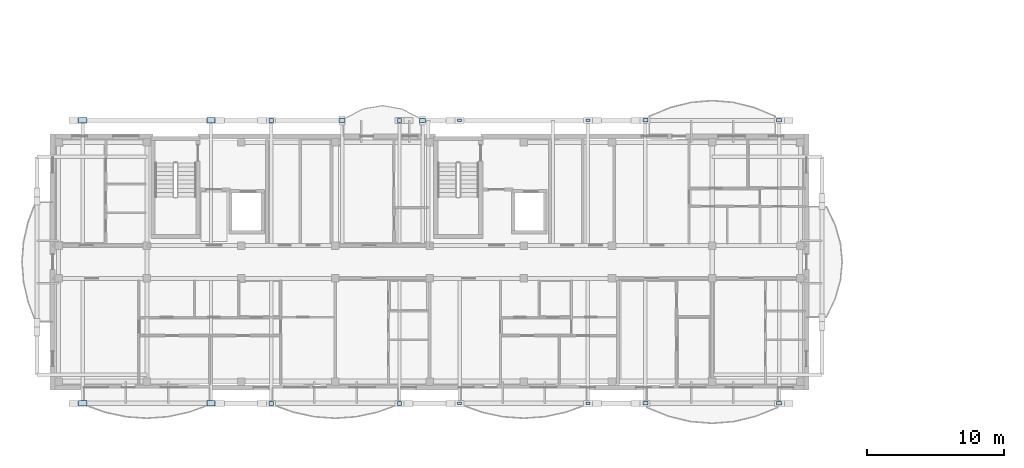
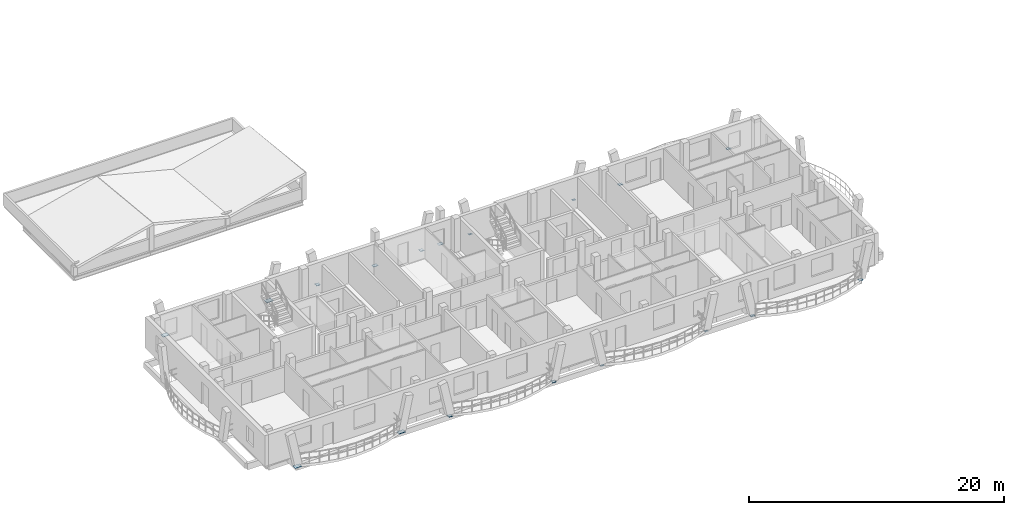
# One storey, part 11 of 50: 18 plates.
"""IFC4 building model written with IfcOpenShell, lengths in metres."""

from ifc_helpers import new_model, si_unit, direction, frame, origin, origin_2d, place, context, subcontext, project, spatial, rectangle, extrude, material, layer, layer_set, type_object, element, save


model = new_model("IFC4")

# Units and contexts
model_context = context("Model", 3, precision=1e-05, world=origin(), true_north=direction((0.0, 1.0)))
body_context = subcontext(model_context, "Body", "Model", "MODEL_VIEW")
ifc_project = project(units=[si_unit("LENGTHUNIT", "METRE"), si_unit("AREAUNIT", "SQUARE_METRE"), si_unit("VOLUMEUNIT", "CUBIC_METRE"), si_unit("PLANEANGLEUNIT", "RADIAN"), si_unit("MASSUNIT", "GRAM", prefix="KILO")], contexts=[model_context])

# Site, building, storey
site_placement = place(None, origin())
site = spatial("IfcSite", under=ifc_project, at=site_placement, CompositionType="ELEMENT")
building_placement = place(site_placement, origin())
building = spatial("IfcBuilding", under=site, at=building_placement, Name="Zavelmont Quarter", CompositionType="ELEMENT")
storey_placement = place(building_placement, frame((0.0, 0.0, 11.199951171875)))
storey = spatial("IfcBuildingStorey", under=building, at=storey_placement, Name="L03", CompositionType="ELEMENT", Elevation=11.199951171875)

# Plates
ifc_material = material(Name="Steel S355", Category="steel")
ifc_layer_1 = layer(ifc_material, 0.02001953125)
ifc_layer_set_1 = layer_set([ifc_layer_1], Name="Steel S355")
plate_type_1 = type_object("IfcPlateType", Name="NP01", PredefinedType="SHEET", material=ifc_layer_set_1)
for number, where, z_axis, x_axis, name in (
    (1, (29.802978515625, -1.162109375, -0.2099609375), (0.0, 0.0, 1.0), (1.0, 0.0, 0.0), "L03 steel connection plate NP01 at 5/A"),
    (2, (39.197021484375, -1.162109375, -0.2099609375), (0.0, 0.0, 1.0), (1.0, 0.0, 0.0), "L03 steel connection plate NP01 at 7/A"),
    (3, (29.802978515625, 19.56201171875, -0.2099609375), (0.0, 0.0, 1.0), (1.0, 0.0, 0.0), "L03 steel connection plate NP01 at 5/D"),
    (4, (39.197021484375, 19.56201171875, -0.2099609375), (0.0, 0.0, 1.0), (1.0, 0.0, 0.0), "L03 steel connection plate NP01 at 7/D"),
):
    element("IfcPlate", number, at=place(storey_placement, frame(where, z_axis=z_axis, x_axis=x_axis)), inside=storey, type_object=plate_type_1, Name=name, PredefinedType="SHEET", context=body_context, shape_type="SweptSolid", body=[
        extrude(rectangle(XDim=0.280029296875, YDim=0.179931640625, at=origin_2d()), origin(), (0.0, 0.0, 1.0), 0.02001953125),
    ])
ifc_layer_2 = layer(ifc_material, 0.02392578125)
ifc_layer_set_2 = layer_set([ifc_layer_2], Name="Steel S355")
plate_type_2 = type_object("IfcPlateType", Name="NP02", PredefinedType="SHEET", material=ifc_layer_set_2)
for number, where, z_axis, x_axis, name in (
    (5, (43.40771484375, -1.162109375, -0.2119140625), (0.0, 0.0, 1.0), (1.0, 0.0, 0.0), "L03 steel connection plate NP02 at 7/A"),
    (6, (53.1923828125, -1.162109375, -0.2119140625), (0.0, 0.0, 1.0), (1.0, 0.0, 0.0), "L03 steel connection plate NP02 at 9/A"),
    (7, (43.40771484375, 19.56201171875, -0.2119140625), (0.0, 0.0, 1.0), (1.0, 0.0, 0.0), "L03 steel connection plate NP02 at 7/D"),
    (8, (53.1923828125, 19.56201171875, -0.2119140625), (0.0, 0.0, 1.0), (1.0, 0.0, 0.0), "L03 steel connection plate NP02 at 9/D"),
):
    element("IfcPlate", number, at=place(storey_placement, frame(where, z_axis=z_axis, x_axis=x_axis)), inside=storey, type_object=plate_type_2, Name=name, PredefinedType="SHEET", context=body_context, shape_type="SweptSolid", body=[
        extrude(rectangle(XDim=0.360107421875, YDim=0.260009765625, at=origin_2d()), origin(), (0.0, 0.0, 1.0), 0.02392578125),
    ])
ifc_layer_3 = layer(ifc_material, 0.02490234375)
ifc_layer_set_3 = layer_set([ifc_layer_3], Name="Steel S355")
plate_type_3 = type_object("IfcPlateType", Name="NP03", PredefinedType="SHEET", material=ifc_layer_set_3)
for number, where, z_axis, x_axis, name in (
    (9, (21.199951171875, 19.56201171875, -0.21240234375), (0.0, 0.0, 1.0), (1.0, 0.0, 0.0), "L03 steel connection plate NP03 at 4/D"),
    (10, (27.10009765625, 19.56201171875, -0.21240234375), (0.0, 0.0, 1.0), (1.0, 0.0, 0.0), "L03 steel connection plate NP03 at 5/D"),
):
    element("IfcPlate", number, at=place(storey_placement, frame(where, z_axis=z_axis, x_axis=x_axis)), inside=storey, type_object=plate_type_3, Name=name, PredefinedType="SHEET", context=body_context, shape_type="SweptSolid", body=[
        extrude(rectangle(XDim=0.43994140625, YDim=0.320068359375, at=origin_2d()), origin(), (0.0, 0.0, 1.0), 0.02490234375),
    ])
ifc_layer_4 = layer(ifc_material, 0.030029296875)
ifc_layer_set_4 = layer_set([ifc_layer_4], Name="Steel S355")
plate_type_4 = type_object("IfcPlateType", Name="NP05", PredefinedType="SHEET", material=ifc_layer_set_4)
for number, where, z_axis, x_axis, name in (
    (11, (2.202880859375, -1.162109375, -0.21484375), (0.0, 0.0, 1.0), (1.0, 0.0, 0.0), "L03 steel connection plate NP05 at 1/A"),
    (12, (11.59716796875, -1.162109375, -0.21484375), (0.0, 0.0, 1.0), (1.0, 0.0, 0.0), "L03 steel connection plate NP05 at 3/A"),
    (13, (2.202880859375, 19.56201171875, -0.21484375), (0.0, 0.0, 1.0), (1.0, 0.0, 0.0), "L03 steel connection plate NP05 at 1/D"),
    (14, (11.59716796875, 19.56201171875, -0.21484375), (0.0, 0.0, 1.0), (1.0, 0.0, 0.0), "L03 steel connection plate NP05 at 3/D"),
):
    element("IfcPlate", number, at=place(storey_placement, frame(where, z_axis=z_axis, x_axis=x_axis)), inside=storey, type_object=plate_type_4, Name=name, PredefinedType="SHEET", context=body_context, shape_type="SweptSolid", body=[
        extrude(rectangle(XDim=0.60009765625, YDim=0.39990234375, at=origin_2d()), origin(), (0.0, 0.0, 1.0), 0.030029296875),
    ])
ifc_layer_5 = layer(ifc_material, 0.02197265625)
ifc_layer_set_5 = layer_set([ifc_layer_5], Name="Steel S355")
plate_type_5 = type_object("IfcPlateType", Name="NP06", PredefinedType="SHEET", material=ifc_layer_set_5)
for number, where, z_axis, x_axis, name in (
    (15, (16.0029296875, -1.162109375, -0.2109375), (0.0, 0.0, 1.0), (1.0, 0.0, 0.0), "L03 steel connection plate NP06 at 3/A"),
    (16, (25.397216796875, -1.162109375, -0.2109375), (0.0, 0.0, 1.0), (1.0, 0.0, 0.0), "L03 steel connection plate NP06 at 5/A"),
    (17, (16.0029296875, 19.56201171875, -0.2109375), (0.0, 0.0, 1.0), (1.0, 0.0, 0.0), "L03 steel connection plate NP06 at 3/D"),
    (18, (25.397216796875, 19.56201171875, -0.2109375), (0.0, 0.0, 1.0), (1.0, 0.0, 0.0), "L03 steel connection plate NP06 at 5/D"),
):
    element("IfcPlate", number, at=place(storey_placement, frame(where, z_axis=z_axis, x_axis=x_axis)), inside=storey, type_object=plate_type_5, Name=name, PredefinedType="SHEET", context=body_context, shape_type="SweptSolid", body=[
        extrude(rectangle(XDim=0.320068359375, YDim=0.320068359375, at=origin_2d()), origin(), (0.0, 0.0, 1.0), 0.02197265625),
    ])

save(model, "model.ifc")
